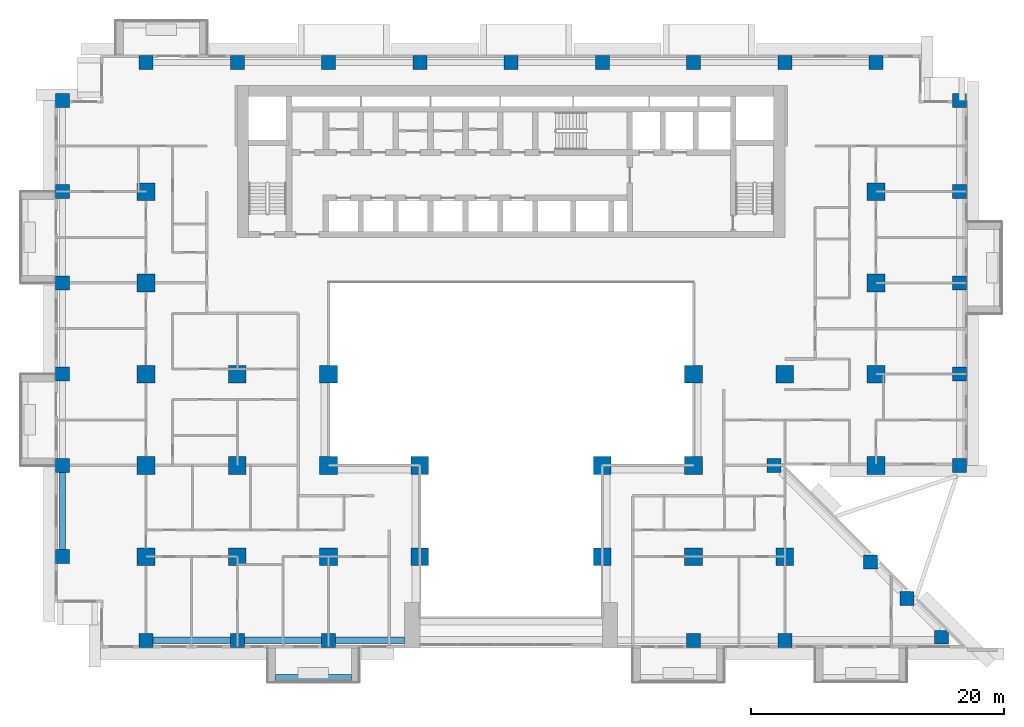
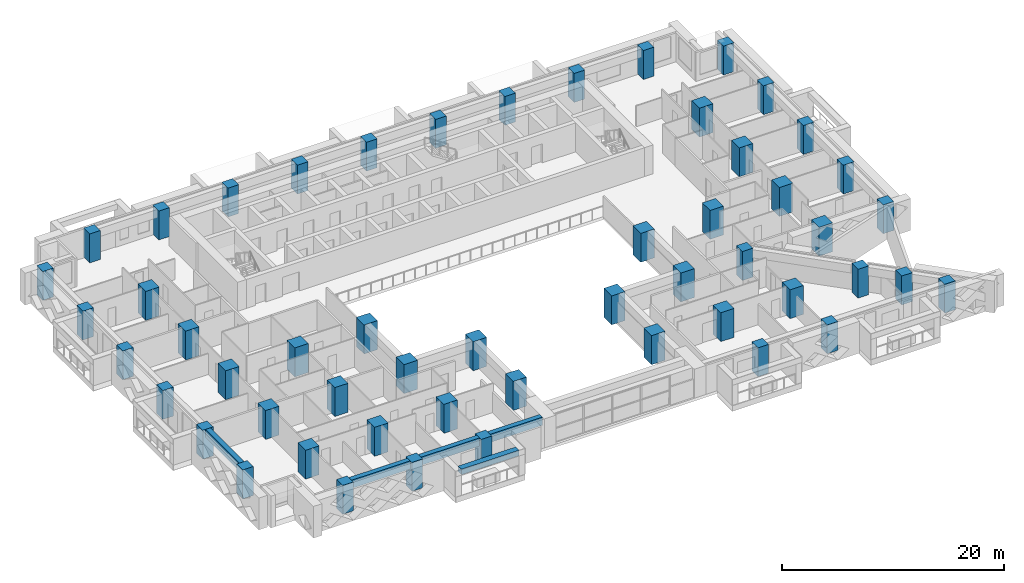
# One storey, part 1 of 17: 53 columns, 5 beams.
"""IFC4 building model written with IfcOpenShell, lengths in metres."""

from ifc_helpers import new_model, si_unit, direction, frame, origin, origin_2d, place, context, subcontext, project, spatial, rectangle, extrude, source, transform, mapped, material, material_profile, profile_set, type_object, element, save


model = new_model("IFC4")

# Units and contexts
model_context = context("Model", 3, precision=1e-05, world=origin(), true_north=direction((0.0, 1.0)))
body_context = subcontext(model_context, "Body", "Model", "MODEL_VIEW")
ifc_project = project(units=[si_unit("LENGTHUNIT", "METRE"), si_unit("AREAUNIT", "SQUARE_METRE"), si_unit("VOLUMEUNIT", "CUBIC_METRE"), si_unit("PLANEANGLEUNIT", "RADIAN"), si_unit("MASSUNIT", "GRAM", prefix="KILO")], contexts=[model_context])

# Site, building, storey
site_placement = place(None, origin())
site = spatial("IfcSite", under=ifc_project, at=site_placement, CompositionType="ELEMENT")
building_placement = place(site_placement, origin())
building = spatial("IfcBuilding", under=site, at=building_placement, Name="Saffron Iwan Residences", CompositionType="ELEMENT")
storey_placement = place(building_placement, frame((0.0, 0.0, 37.5)))
storey = spatial("IfcBuildingStorey", under=building, at=storey_placement, Name="L08", CompositionType="ELEMENT", Elevation=37.5)

# Columns
ifc_material_1 = material(Name="Concrete C60/75", Category="concrete")
ifc_material_profile_1 = material_profile(ifc_material_1, rectangle(XDim=1.10009765625, YDim=1.10009765625, at=origin_2d()), Name="RC 1100x1100")
ifc_profile_set_1 = profile_set([ifc_material_profile_1], Name="Concrete C60/75")
column_type_1 = type_object("IfcColumnType", Name="COL RC 1100x1100 C60/75 3180 HIGH", PredefinedType="COLUMN", material=ifc_profile_set_1)
shared_shape_1 = source(origin(), body_context, "Body", "SweptSolid", [
    extrude(rectangle(XDim=1.10009765625, YDim=1.10009765625, at=origin_2d()), origin(), (0.0, 0.0, 1.0), 3.179931640625),
])
for number, where, z_axis, x_axis, name in (
    (1, (21.60009765625, 34.199951171875, 0.0), (0.0, 0.0, 1.0), (1.0, 0.0, 0.0), "Column C038"),
    (2, (28.800048828125, 34.199951171875, 0.0), (0.0, 0.0, 1.0), (1.0, 0.0, 0.0), "Column C039"),
    (3, (36.0, 34.199951171875, 0.0), (0.0, 0.0, 1.0), (1.0, 0.0, 0.0), "Column C040"),
    (4, (64.800048828125, 34.199951171875, 0.0), (0.0, 0.0, 1.0), (1.0, 0.0, 0.0), "Column C041"),
    (5, (72.0, 34.199951171875, 0.0), (0.0, 0.0, 1.0), (1.0, 0.0, 0.0), "Column C042"),
    (6, (84.367431640625, 34.44189453125, 0.0), (0.0, 0.0, 1.0), (1.0, 0.0, 0.0), "Column C043"),
    (7, (81.65576171875, 37.49560546875, 0.0), (0.0, 0.0, 1.0), (1.0, 0.0, 0.0), "Column C044"),
    (8, (78.775634765625, 40.375732421875, 0.0), (0.0, 0.0, 1.0), (1.0, 0.0, 0.0), "Column C047"),
    (9, (15.0, 40.800048828125, 0.0), (0.0, 0.0, 1.0), (1.0, 0.0, 0.0), "Column C048"),
    (10, (15.0, 48.0, 0.0), (0.0, 0.0, 1.0), (1.0, 0.0, 0.0), "Column C061"),
    (11, (71.14990234375, 48.0, 0.0), (0.0, 0.0, 1.0), (1.0, 0.0, 0.0), "Column C070"),
    (12, (85.800048828125, 48.0, 0.0), (0.0, 0.0, 1.0), (1.0, 0.0, 0.0), "Column C074"),
    (13, (15.0, 55.199951171875, 0.0), (0.0, 0.0, 1.0), (1.0, 0.0, 0.0), "Column C077"),
    (14, (85.800048828125, 55.199951171875, 0.0), (0.0, 0.0, 1.0), (1.0, 0.0, 0.0), "Column C086"),
    (15, (15.0, 62.39990234375, 0.0), (0.0, 0.0, 1.0), (1.0, 0.0, 0.0), "Column C089"),
    (16, (85.800048828125, 62.39990234375, 0.0), (0.0, 0.0, 1.0), (1.0, 0.0, 0.0), "Column C094"),
    (17, (15.0, 69.60009765625, 0.0), (0.0, 0.0, 1.0), (1.0, 0.0, 0.0), "Column C097"),
    (18, (85.800048828125, 69.60009765625, 0.0), (0.0, 0.0, 1.0), (1.0, 0.0, 0.0), "Column C102"),
    (19, (15.0, 76.800048828125, 0.0), (0.0, 0.0, 1.0), (1.0, 0.0, 0.0), "Column C105"),
    (20, (85.800048828125, 76.800048828125, 0.0), (0.0, 0.0, 1.0), (1.0, 0.0, 0.0), "Column C110"),
    (21, (21.60009765625, 79.800048828125, 0.0), (0.0, 0.0, 1.0), (1.0, 0.0, 0.0), "Column C113"),
    (22, (28.800048828125, 79.800048828125, 0.0), (0.0, 0.0, 1.0), (1.0, 0.0, 0.0), "Column C115"),
    (23, (36.0, 79.800048828125, 0.0), (0.0, 0.0, 1.0), (1.0, 0.0, 0.0), "Column C116"),
    (24, (43.199951171875, 79.800048828125, 0.0), (0.0, 0.0, 1.0), (1.0, 0.0, 0.0), "Column C117"),
    (25, (50.39990234375, 79.800048828125, 0.0), (0.0, 0.0, 1.0), (1.0, 0.0, 0.0), "Column C118"),
    (26, (57.60009765625, 79.800048828125, 0.0), (0.0, 0.0, 1.0), (1.0, 0.0, 0.0), "Column C119"),
    (27, (64.800048828125, 79.800048828125, 0.0), (0.0, 0.0, 1.0), (1.0, 0.0, 0.0), "Column C120"),
    (28, (72.0, 79.800048828125, 0.0), (0.0, 0.0, 1.0), (1.0, 0.0, 0.0), "Column C121"),
    (29, (79.199951171875, 79.800048828125, 0.0), (0.0, 0.0, 1.0), (1.0, 0.0, 0.0), "Column C123"),
):
    element("IfcColumn", number, at=place(storey_placement, frame(where, z_axis=z_axis, x_axis=x_axis)), inside=storey, type_object=column_type_1, Name=name, PredefinedType="COLUMN", context=body_context, shape_type="MappedRepresentation", body=[
        mapped(shared_shape_1, transform((0.0, 0.0, 0.0))),
    ])
ifc_material_profile_2 = material_profile(ifc_material_1, rectangle(XDim=1.39990234375, YDim=1.39990234375, at=origin_2d()), Name="RC 1400x1400")
ifc_profile_set_2 = profile_set([ifc_material_profile_2], Name="Concrete C60/75")
column_type_2 = type_object("IfcColumnType", Name="COL RC 1400x1400 C60/75 3180 HIGH", PredefinedType="COLUMN", material=ifc_profile_set_2)
shared_shape_2 = source(origin(), body_context, "Body", "SweptSolid", [
    extrude(rectangle(XDim=1.39990234375, YDim=1.39990234375, at=origin_2d()), origin(), (0.0, 0.0, 1.0), 3.179931640625),
])
for number, where, z_axis, x_axis, name in (
    (30, (21.60009765625, 40.800048828125, 0.0), (0.0, 0.0, 1.0), (1.0, 0.0, 0.0), "Column C049"),
    (31, (28.800048828125, 40.800048828125, 0.0), (0.0, 0.0, 1.0), (1.0, 0.0, 0.0), "Column C051"),
    (32, (36.0, 40.800048828125, 0.0), (0.0, 0.0, 1.0), (1.0, 0.0, 0.0), "Column C052"),
    (33, (43.199951171875, 40.800048828125, 0.0), (0.0, 0.0, 1.0), (1.0, 0.0, 0.0), "Column C053"),
    (34, (57.60009765625, 40.800048828125, 0.0), (0.0, 0.0, 1.0), (1.0, 0.0, 0.0), "Column C054"),
    (35, (64.800048828125, 40.800048828125, 0.0), (0.0, 0.0, 1.0), (1.0, 0.0, 0.0), "Column C055"),
    (36, (72.0, 40.800048828125, 0.0), (0.0, 0.0, 1.0), (1.0, 0.0, 0.0), "Column C056"),
    (37, (21.60009765625, 48.0, 0.0), (0.0, 0.0, 1.0), (1.0, 0.0, 0.0), "Column C063"),
    (38, (28.800048828125, 48.0, 0.0), (0.0, 0.0, 1.0), (1.0, 0.0, 0.0), "Column C064"),
    (39, (36.0, 48.0, 0.0), (0.0, 0.0, 1.0), (1.0, 0.0, 0.0), "Column C065"),
    (40, (43.199951171875, 48.0, 0.0), (0.0, 0.0, 1.0), (1.0, 0.0, 0.0), "Column C066"),
    (41, (57.60009765625, 48.0, 0.0), (0.0, 0.0, 1.0), (1.0, 0.0, 0.0), "Column C068"),
    (42, (64.800048828125, 48.0, 0.0), (0.0, 0.0, 1.0), (1.0, 0.0, 0.0), "Column C069"),
    (43, (79.199951171875, 48.0, 0.0), (0.0, 0.0, 1.0), (1.0, 0.0, 0.0), "Column C072"),
    (44, (21.60009765625, 55.199951171875, 0.0), (0.0, 0.0, 1.0), (1.0, 0.0, 0.0), "Column C079"),
    (45, (28.800048828125, 55.199951171875, 0.0), (0.0, 0.0, 1.0), (1.0, 0.0, 0.0), "Column C080"),
    (46, (36.0, 55.199951171875, 0.0), (0.0, 0.0, 1.0), (1.0, 0.0, 0.0), "Column C081"),
    (47, (64.800048828125, 55.199951171875, 0.0), (0.0, 0.0, 1.0), (1.0, 0.0, 0.0), "Column C082"),
    (48, (72.0, 55.199951171875, 0.0), (0.0, 0.0, 1.0), (1.0, 0.0, 0.0), "Column C083"),
    (49, (79.199951171875, 55.199951171875, 0.0), (0.0, 0.0, 1.0), (1.0, 0.0, 0.0), "Column C084"),
    (50, (21.60009765625, 62.39990234375, 0.0), (0.0, 0.0, 1.0), (1.0, 0.0, 0.0), "Column C091"),
    (51, (79.199951171875, 62.39990234375, 0.0), (0.0, 0.0, 1.0), (1.0, 0.0, 0.0), "Column C092"),
    (52, (21.60009765625, 69.60009765625, 0.0), (0.0, 0.0, 1.0), (1.0, 0.0, 0.0), "Column C099"),
    (53, (79.199951171875, 69.60009765625, 0.0), (0.0, 0.0, 1.0), (1.0, 0.0, 0.0), "Column C100"),
):
    element("IfcColumn", number, at=place(storey_placement, frame(where, z_axis=z_axis, x_axis=x_axis)), inside=storey, type_object=column_type_2, Name=name, PredefinedType="COLUMN", context=body_context, shape_type="MappedRepresentation", body=[
        mapped(shared_shape_2, transform((0.0, 0.0, 0.0))),
    ])

# Beams
ifc_material_profile_3 = material_profile(ifc_material_1, rectangle(XDim=0.5, YDim=0.89990234375, at=origin_2d()), Name="RC 500x900")
ifc_profile_set_3 = profile_set([ifc_material_profile_3], Name="Concrete C60/75")
beam_type_1 = type_object("IfcBeamType", Name="SPANDREL BEAM RC 500x900 C60/75 TOP 3180", PredefinedType="SPANDREL", material=ifc_profile_set_3)
shared_shape_3 = source(origin(), body_context, "Body", "SweptSolid", [
    extrude(rectangle(XDim=0.5, YDim=0.89990234375, at=origin_2d()), origin(), (0.0, 0.0, 1.0), 6.10009765625),
])
beam_1_placement = place(storey_placement, frame((28.25, 34.199951171875, 2.72998046875), z_axis=(-1.0, 0.0, 0.0), x_axis=(0.0, -1.0, 0.0)))
element("IfcBeam", 54, at=beam_1_placement, inside=storey, type_object=beam_type_1, Name="Spandrel beam", PredefinedType="SPANDREL", context=body_context, shape_type="MappedRepresentation", body=[
    mapped(shared_shape_3, transform((0.0, 0.0, 0.0))),
])
shared_shape_4 = source(origin(), body_context, "Body", "SweptSolid", [
    extrude(rectangle(XDim=0.5, YDim=0.89990234375, at=origin_2d()), origin(), (0.0, 0.0, 1.0), 6.099853515625),
])
for number, where, z_axis, x_axis, name in (
    (55, (35.449951171875, 34.199951171875, 2.72998046875), (-1.0, 0.0, 0.0), (0.0, -1.0, 0.0), "Spandrel beam"),
    (56, (15.0, 41.35009765625, 2.72998046875), (0.0, 1.0, 0.0), (-1.0, 0.0, 0.0), "Spandrel beam"),
):
    element("IfcBeam", number, at=place(storey_placement, frame(where, z_axis=z_axis, x_axis=x_axis)), inside=storey, type_object=beam_type_1, Name=name, PredefinedType="SPANDREL", context=body_context, shape_type="MappedRepresentation", body=[
        mapped(shared_shape_4, transform((0.0, 0.0, 0.0))),
    ])
shared_shape_5 = source(origin(), body_context, "Body", "SweptSolid", [
    extrude(rectangle(XDim=0.5, YDim=0.89990234375, at=origin_2d()), origin(), (0.0, 0.0, 1.0), 5.449951171875),
])
beam_2_placement = place(storey_placement, frame((42.0, 34.199951171875, 2.72998046875), z_axis=(-1.0, 0.0, 0.0), x_axis=(0.0, -1.0, 0.0)))
element("IfcBeam", 57, at=beam_2_placement, inside=storey, type_object=beam_type_1, Name="Spandrel beam", PredefinedType="SPANDREL", context=body_context, shape_type="MappedRepresentation", body=[
    mapped(shared_shape_5, transform((0.0, 0.0, 0.0))),
])
ifc_material_2 = material(Name="Concrete C50/60 white painted", Category="concrete")
ifc_material_profile_4 = material_profile(ifc_material_2, rectangle(XDim=0.60009765625, YDim=0.60009765625, at=origin_2d()), Name="BALCONY FASCIA BEAM 600 x 600")
ifc_profile_set_4 = profile_set([ifc_material_profile_4], Name="Concrete C50/60 white painted")
beam_type_2 = type_object("IfcBeamType", Name="BALCONY FASCIA BEAM 600 x 600", PredefinedType="BEAM", material=ifc_profile_set_4)
shared_shape_6 = source(origin(), body_context, "Body", "SweptSolid", [
    extrude(rectangle(XDim=0.60009765625, YDim=0.60009765625, at=origin_2d()), origin(), (0.0, 0.0, 1.0), 6.0),
])
beam_3_placement = place(storey_placement, frame((31.800048828125, 31.199951171875, 2.550048828125), z_axis=(1.0, 0.0, 0.0), x_axis=(0.0, 1.0, 0.0)))
element("IfcBeam", 58, at=beam_3_placement, inside=storey, type_object=beam_type_2, Name="Balcony fascia beam L08 11-0", PredefinedType="BEAM", context=body_context, shape_type="MappedRepresentation", body=[
    mapped(shared_shape_6, transform((0.0, 0.0, 0.0))),
])

save(model, "model.ifc")
